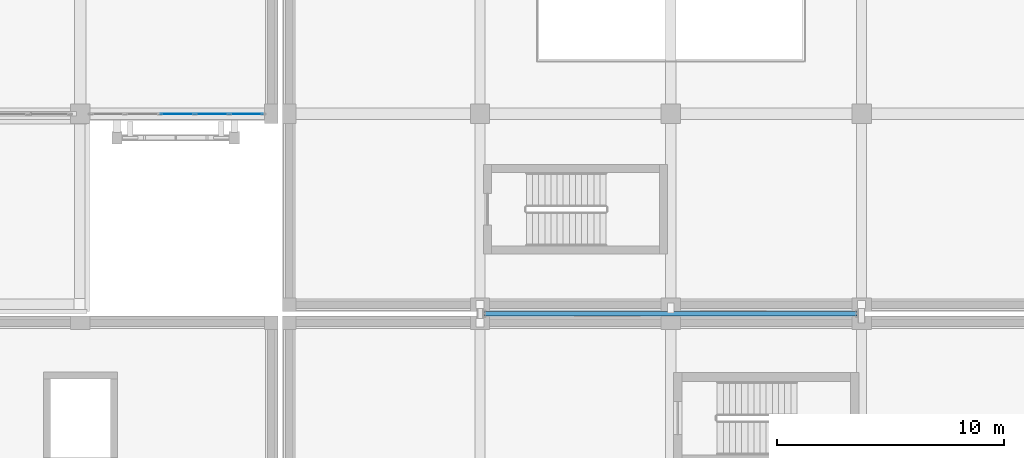
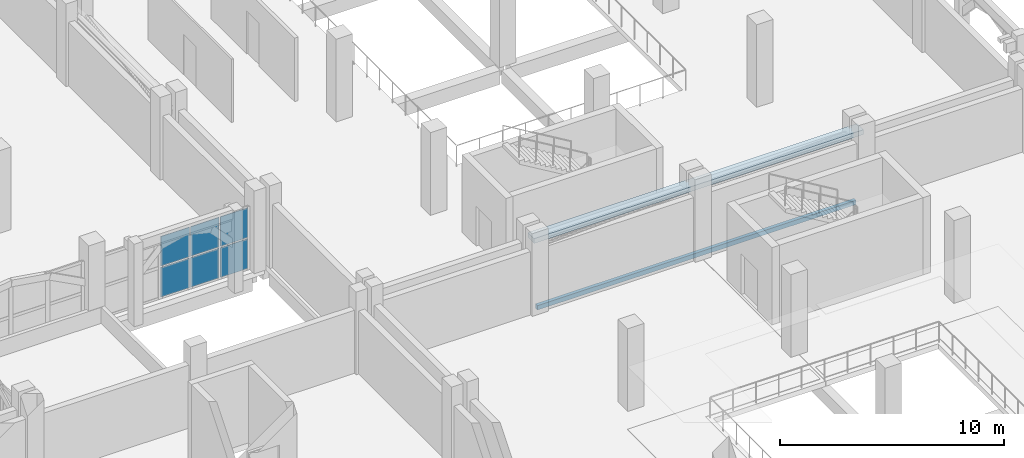
# One storey, part 98 of 137: 6 plates, 2 slabs, 1 element without a shape of its own.
"""IFC4 building model written with IfcOpenShell, lengths in metres."""

import ifcopenshell
import ifcopenshell.guid

model = None  # the IFC model being written
_history = None  # IfcOwnerHistory: only IFC2X3 demands one
_inside = {}  # id of a spatial element -> (the spatial element, [elements in it])
_under = {}  # id of a project, library or spatial element -> (it, [spatial elements below it])
_declared = {}  # id of a project -> (the project, [libraries it declares])
_typed = {}  # id of a type object -> (the type object, [elements of that type])
_made_of = {}  # id of a material, layer set ... -> (it, [elements and type objects made of it])


def new_model(schema):
    """Start an empty IFC model of exactly this schema.

    Asked for "IFC4X3", IfcOpenShell would pick the latest addendum, in which some entities
    have other attributes; the version numbers below select the first issue.
    IFC2X3 requires an IfcOwnerHistory on every rooted entity: one is made here for all.
    """
    global model, _history
    if schema == "IFC4X3":
        model = ifcopenshell.file(schema_version=(4, 3, 0, 0))
    else:
        model = ifcopenshell.file(schema=schema)
    _inside.clear()
    _under.clear()
    _declared.clear()
    _typed.clear()
    _made_of.clear()
    _history = None
    if model.schema == "IFC2X3":
        org = make("IfcOrganization", Name="unknown")
        user = make(
            "IfcPersonAndOrganization",
            ThePerson=make("IfcPerson", FamilyName="unknown"),
            TheOrganization=org,
        )
        app = make(
            "IfcApplication",
            ApplicationDeveloper=org,
            Version="unknown",
            ApplicationFullName="unknown",
            ApplicationIdentifier="unknown",
        )
        _history = make(
            "IfcOwnerHistory",
            OwningUser=user,
            OwningApplication=app,
            ChangeAction="ADDED",
            CreationDate=0,
        )
    return model


def make(cls, **values):
    """One entity of the class cls with the attributes given. An attribute that is None is left unset."""
    return model.create_entity(
        cls, **{name: value for name, value in values.items() if value is not None}
    )


def rooted(cls, **values):
    """An entity with a GlobalId (a new one), such as an element, a storey or a relation."""
    return make(cls, GlobalId=ifcopenshell.guid.new(), OwnerHistory=_history, **values)


def si_unit(unit_type, name, prefix=None):
    """IfcSIUnit, for example si_unit("LENGTHUNIT", "METRE", prefix="MILLI")."""
    return make("IfcSIUnit", UnitType=unit_type, Prefix=prefix, Name=name)


def assignment(units):
    """IfcUnitAssignment: the units of a project."""
    return None if units is None else make("IfcUnitAssignment", Units=units)


def point(xyz):
    """IfcCartesianPoint."""
    return None if xyz is None else make("IfcCartesianPoint", Coordinates=xyz)


def direction(xyz):
    """IfcDirection."""
    return None if xyz is None else make("IfcDirection", DirectionRatios=xyz)


def frame(location, z_axis=None, x_axis=None):
    """IfcAxis2Placement3D, a coordinate frame: its origin and axes. An axis left out is left unset."""
    return make(
        "IfcAxis2Placement3D",
        Location=point(location),
        Axis=direction(z_axis),
        RefDirection=direction(x_axis),
    )


def frame_2d(location, x_axis=None):
    """IfcAxis2Placement2D, a coordinate frame in the plane: its origin and x axis."""
    return make(
        "IfcAxis2Placement2D", Location=point(location), RefDirection=direction(x_axis)
    )


def origin():
    """The frame at (0, 0, 0) with its axes left unset."""
    return frame((0.0, 0.0, 0.0))


def origin_2d():
    """The frame at (0, 0) in the plane with its x axis left unset."""
    return frame_2d((0.0, 0.0))


def place(relative_to, where):
    """IfcLocalPlacement: puts the frame where relative to a parent placement (None: the world)."""
    return make(
        "IfcLocalPlacement", PlacementRelTo=relative_to, RelativePlacement=where
    )


def context(
    kind, dimensions, precision=None, world=None, true_north=None, identifier=None
):
    """IfcGeometricRepresentationContext, for example the 3D "Model" context."""
    return make(
        "IfcGeometricRepresentationContext",
        ContextIdentifier=identifier,
        ContextType=kind,
        CoordinateSpaceDimension=dimensions,
        Precision=precision,
        WorldCoordinateSystem=world,
        TrueNorth=true_north,
    )


def subcontext(parent, identifier, kind, view, scale=None):
    """IfcGeometricRepresentationSubContext, for example "Body" below "Model"."""
    return make(
        "IfcGeometricRepresentationSubContext",
        ContextIdentifier=identifier,
        ContextType=kind,
        ParentContext=parent,
        TargetScale=scale,
        TargetView=view,
    )


def project(units=None, contexts=None):
    """IfcProject with its units and contexts."""
    return rooted(
        "IfcProject",
        Name="project",
        RepresentationContexts=contexts,
        UnitsInContext=assignment(units),
    )


def spatial(cls, under=None, at=None, **own):
    """A site, building, storey or space (cls), placed at a placement, below another one or the project."""
    s = rooted(cls, ObjectPlacement=at, **own)
    if under is not None:
        _under.setdefault(under.id(), (under, []))[1].append(s)
    return s


def polyline(points):
    """IfcPolyline through the points."""
    return make("IfcPolyline", Points=[point(p) for p in points])


def profile(cls, at=None, kind="AREA", **sizes):
    """A parametric profile (cls). Its sizes go by their IFC names, for example OverallWidth=200.0."""
    return make(cls, ProfileType=kind, Position=at, **sizes)


def rectangle(**sizes):
    """IfcRectangleProfileDef."""
    return profile("IfcRectangleProfileDef", **sizes)


def outline(outer, holes=None, kind="AREA"):
    """IfcArbitraryClosedProfileDef: a profile drawn as a closed curve; with holes, ...WithVoids."""
    if holes is None:
        return make("IfcArbitraryClosedProfileDef", ProfileType=kind, OuterCurve=outer)
    return make(
        "IfcArbitraryProfileDefWithVoids",
        ProfileType=kind,
        OuterCurve=outer,
        InnerCurves=holes,
    )


def extrude(swept, where, along, depth):
    """IfcExtrudedAreaSolid: the profile swept, set in the frame where, extruded along a direction by depth."""
    return make(
        "IfcExtrudedAreaSolid",
        SweptArea=swept,
        Position=where,
        ExtrudedDirection=direction(along),
        Depth=depth,
    )


def shape(context_of_items, identifier, shape_type, items):
    """IfcShapeRepresentation: the items that make up one representation, for example the "Body"."""
    return make(
        "IfcShapeRepresentation",
        ContextOfItems=context_of_items,
        RepresentationIdentifier=identifier,
        RepresentationType=shape_type,
        Items=items,
    )


def material(Name=None, Category=None):
    """IfcMaterial."""
    return make("IfcMaterial", Name=Name, Category=Category)


def layer(
    of_material, thickness, ventilated=None, Name=None, Category=None, Priority=None
):
    """IfcMaterialLayer: one layer of a wall or slab, of a material (None: an air gap)."""
    return make(
        "IfcMaterialLayer",
        Material=of_material,
        LayerThickness=thickness,
        IsVentilated=ventilated,
        Name=Name,
        Category=Category,
        Priority=Priority,
    )


def layer_set(layers, Name=None):
    """IfcMaterialLayerSet."""
    return make("IfcMaterialLayerSet", MaterialLayers=layers, LayerSetName=Name)


def made_of(thing, what):
    """Note that an element or type object is made of a material, layer set ...; save() writes the relation."""
    if what is not None:
        _made_of.setdefault(what.id(), (what, []))[1].append(thing)
    return thing


def type_object(cls, material=None, **own):
    """A type object (cls), such as IfcWallType, which elements share."""
    return made_of(rooted(cls, **own), material)


def element(
    cls,
    number,
    at=None,
    inside=None,
    cuts=None,
    type_object=None,
    material=None,
    context=None,
    identifier="Body",
    shape_type=None,
    held_by="IfcProductDefinitionShape",
    body=None,
    shapes=None,
    **own,
):
    """One element of the class cls, such as IfcWall. Its Tag is "e" and its number.

    at: its placement. inside: the storey or other place that contains it. cuts: it is an
    opening in that element (IfcRelVoidsElement). A single representation is given by context,
    identifier, shape_type and body (its items); several are given by shapes. held_by: the class
    of the entity that holds the representations. save() writes the other relations.
    """
    e = rooted(cls, Tag="e%d" % number, ObjectPlacement=at, **own)
    if body is not None:
        shapes = [shape(context, identifier, shape_type, body)]
    if shapes is not None:
        e.Representation = make(held_by, Representations=shapes)
    if inside is not None:
        _inside.setdefault(inside.id(), (inside, []))[1].append(e)
    if cuts is not None:
        rooted(
            "IfcRelVoidsElement", RelatingBuildingElement=cuts, RelatedOpeningElement=e
        )
    if type_object is not None:
        _typed.setdefault(type_object.id(), (type_object, []))[1].append(e)
    return made_of(e, material)


def aggregate(whole, parts):
    """IfcRelAggregates: a whole, such as a stair, and the parts it consists of."""
    return rooted("IfcRelAggregates", RelatingObject=whole, RelatedObjects=parts)


def save(model, path):
    """Write the relations noted so far, then the file.

    IfcRelAggregates (storeys below a building ...), IfcRelContainedInSpatialStructure (elements
    in a storey), IfcRelDefinesByType, IfcRelAssociatesMaterial and IfcRelDeclares: one each for
    every whole, place, type object, material and project.
    """
    for whole, parts in _under.values():
        aggregate(whole, parts)
    for where, things in _inside.values():
        rooted(
            "IfcRelContainedInSpatialStructure",
            RelatedElements=things,
            RelatingStructure=where,
        )
    for kind, things in _typed.values():
        rooted("IfcRelDefinesByType", RelatedObjects=things, RelatingType=kind)
    for what, things in _made_of.values():
        rooted("IfcRelAssociatesMaterial", RelatedObjects=things, RelatingMaterial=what)
    for by, libraries in _declared.values():
        rooted("IfcRelDeclares", RelatingContext=by, RelatedDefinitions=libraries)
    model.write(path)


model = new_model("IFC4")

# Units and contexts
model_context = context("Model", 3, precision=1e-05, world=origin(), true_north=direction((0.0, 1.0)))
body_context = subcontext(model_context, "Body", "Model", "MODEL_VIEW")
ifc_project = project(units=[si_unit("LENGTHUNIT", "METRE"), si_unit("AREAUNIT", "SQUARE_METRE"), si_unit("VOLUMEUNIT", "CUBIC_METRE"), si_unit("PLANEANGLEUNIT", "RADIAN"), si_unit("MASSUNIT", "GRAM", prefix="KILO")], contexts=[model_context])

# Site, building, storey
site_placement = place(None, origin())
site = spatial("IfcSite", under=ifc_project, at=site_placement, CompositionType="ELEMENT")
building_placement = place(site_placement, origin())
building = spatial("IfcBuilding", under=site, at=building_placement, Name="Xazarin Passage Department Store", CompositionType="ELEMENT")
storey_placement = place(building_placement, frame((0.0, 0.0, 5.39990234375)))
storey = spatial("IfcBuildingStorey", under=building, at=storey_placement, Name="L01", CompositionType="ELEMENT", Elevation=5.39990234375)

# Curtain wall, plates
ifc_material_1 = material(Name="Bronze anodised aluminium", Category="aluminium")
ifc_layer_1 = layer(ifc_material_1, 0.179931640625)
ifc_layer_set_1 = layer_set([ifc_layer_1], Name="Bronze anodised aluminium")
curtain_wall_type = type_object("IfcCurtainWallType", Name="ARC-CW-VIT1", PredefinedType="NOTDEFINED", material=ifc_layer_set_1)
curtain_wall_placement = place(storey_placement, origin())
curtain_wall = element("IfcCurtainWall", 1, at=curtain_wall_placement, inside=storey, type_object=curtain_wall_type, Name="L01 V1 Curtain Wall 009", PredefinedType="NOTDEFINED")
ifc_material_2 = material(Name="Low-E laminated safety glass", Category="glass")
ifc_layer_2 = layer(ifc_material_2, 0.031982421875)
ifc_layer_set_2 = layer_set([ifc_layer_2], Name="Low-E laminated safety glass")
plate_type = type_object("IfcPlateType", Name="ARC-CWP-GLZ32", PredefinedType="CURTAIN_PANEL", material=ifc_layer_set_2)
plate_1_placement = place(storey_placement, frame((63.0625, 59.60009765625, 0.0751953125), z_axis=(0.0, 0.0, 1.0), x_axis=(1.0, 0.0, 0.0)))
plate_1 = element("IfcPlate", 2, at=plate_1_placement, type_object=plate_type, Name="CW1 panel 3.1", PredefinedType="CURTAIN_PANEL", context=body_context, shape_type="SweptSolid", body=[
    extrude(rectangle(XDim=1.4599609375, YDim=0.031982421875, at=origin_2d()), origin(), (0.0, 0.0, 1.0), 1.612548828125),
])
plate_2_placement = place(storey_placement, frame((63.0625, 59.60009765625, 1.7626953125), z_axis=(0.0, 0.0, 1.0), x_axis=(1.0, 0.0, 0.0)))
plate_2 = element("IfcPlate", 3, at=plate_2_placement, type_object=plate_type, Name="CW1 panel 3.2", PredefinedType="CURTAIN_PANEL", context=body_context, shape_type="SweptSolid", body=[
    extrude(rectangle(XDim=1.4599609375, YDim=0.031982421875, at=origin_2d()), origin(), (0.0, 0.0, 1.0), 1.612548828125),
])
plate_3_placement = place(storey_placement, frame((64.597412109375, 59.60009765625, 0.0751953125), z_axis=(0.0, 0.0, 1.0), x_axis=(1.0, 0.0, 0.0)))
plate_3 = element("IfcPlate", 4, at=plate_3_placement, type_object=plate_type, Name="CW1 panel 4.1", PredefinedType="CURTAIN_PANEL", context=body_context, shape_type="SweptSolid", body=[
    extrude(rectangle(XDim=1.4599609375, YDim=0.031982421875, at=origin_2d()), origin(), (0.0, 0.0, 1.0), 1.612548828125),
])
plate_4_placement = place(storey_placement, frame((64.597412109375, 59.60009765625, 1.7626953125), z_axis=(0.0, 0.0, 1.0), x_axis=(1.0, 0.0, 0.0)))
plate_4 = element("IfcPlate", 5, at=plate_4_placement, type_object=plate_type, Name="CW1 panel 4.2", PredefinedType="CURTAIN_PANEL", context=body_context, shape_type="SweptSolid", body=[
    extrude(rectangle(XDim=1.4599609375, YDim=0.031982421875, at=origin_2d()), origin(), (0.0, 0.0, 1.0), 1.612548828125),
])
plate_5_placement = place(storey_placement, frame((66.11376953125, 59.60009765625, 0.0751953125), z_axis=(0.0, 0.0, 1.0), x_axis=(1.0, 0.0, 0.0)))
plate_5 = element("IfcPlate", 6, at=plate_5_placement, type_object=plate_type, Name="CW1 panel 5.1", PredefinedType="CURTAIN_PANEL", context=body_context, shape_type="SweptSolid", body=[
    extrude(rectangle(XDim=1.422607421875, YDim=0.031982421875, at=origin_2d()), origin(), (0.0, 0.0, 1.0), 1.612548828125),
])
plate_6_placement = place(storey_placement, frame((66.11376953125, 59.60009765625, 1.7626953125), z_axis=(0.0, 0.0, 1.0), x_axis=(1.0, 0.0, 0.0)))
plate_6 = element("IfcPlate", 7, at=plate_6_placement, type_object=plate_type, Name="CW1 panel 5.2", PredefinedType="CURTAIN_PANEL", context=body_context, shape_type="SweptSolid", body=[
    extrude(rectangle(XDim=1.422607421875, YDim=0.031982421875, at=origin_2d()), origin(), (0.0, 0.0, 1.0), 1.612548828125),
])
aggregate(curtain_wall, [plate_1, plate_2, plate_3, plate_4, plate_5, plate_6])

# Slabs
ifc_material_3 = material(Name="Concrete C35/45", Category="concrete")
ifc_layer_3 = layer(ifc_material_3, 0.239990234375)
ifc_layer_set_3 = layer_set([ifc_layer_3], Name="Concrete C35/45")
slab_type_1 = type_object("IfcSlabType", Name="STR-SLB-BRG240", PredefinedType="FLOOR", material=ifc_layer_set_3)
slab_1_placement = place(storey_placement, frame((0.0, 0.0, -0.239990234375)))
element("IfcSlab", 8, at=slab_1_placement, inside=storey, type_object=slab_type_1, Name="L01 BR-V2S-V2N Bridge Floor Deck", PredefinedType="FLOOR", context=body_context, shape_type="SweptSolid", body=[
    extrude(outline(polyline([(76.60009765625, 50.7099609375), (93.0, 50.7099609375), (93.0, 50.889892578125), (76.60009765625, 50.889892578125), (76.60009765625, 50.7099609375)])), origin(), (0.0, 0.0, 1.0), 0.239990234375),
])
ifc_layer_4 = layer(ifc_material_3, 0.260009765625)
ifc_layer_set_4 = layer_set([ifc_layer_4], Name="Concrete C35/45")
slab_type_2 = type_object("IfcSlabType", Name="STR-SLB-RF260", PredefinedType="ROOF", material=ifc_layer_set_4)
slab_2_placement = place(storey_placement, frame((0.0, 0.0, 3.60009765625)))
element("IfcSlab", 9, at=slab_2_placement, inside=storey, type_object=slab_type_2, Name="L01 BR-V2S-V2N Bridge Roof Deck", PredefinedType="ROOF", context=body_context, shape_type="SweptSolid", body=[
    extrude(outline(polyline([(76.320068359375, 50.52001953125), (93.280029296875, 50.52001953125), (93.280029296875, 51.080078125), (76.320068359375, 51.080078125), (76.320068359375, 50.52001953125)])), origin(), (0.0, 0.0, 1.0), 0.260009765625),
])

save(model, "model.ifc")
